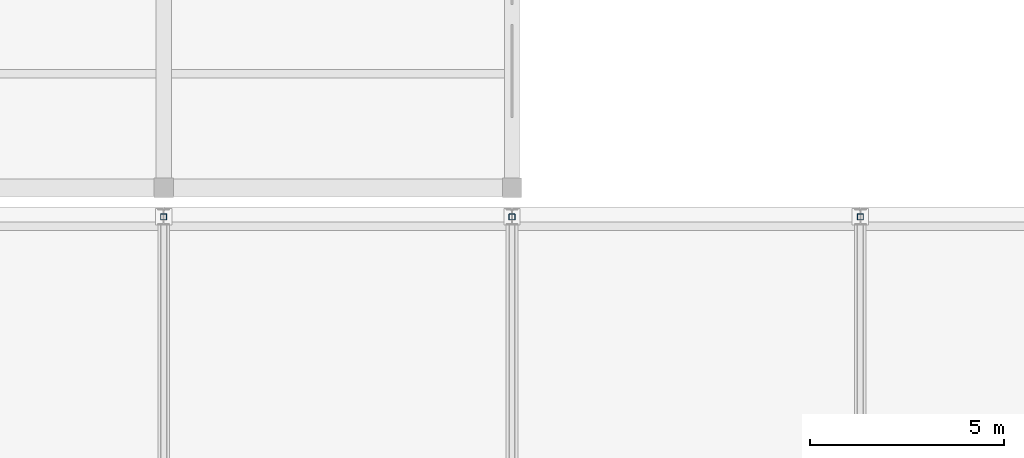
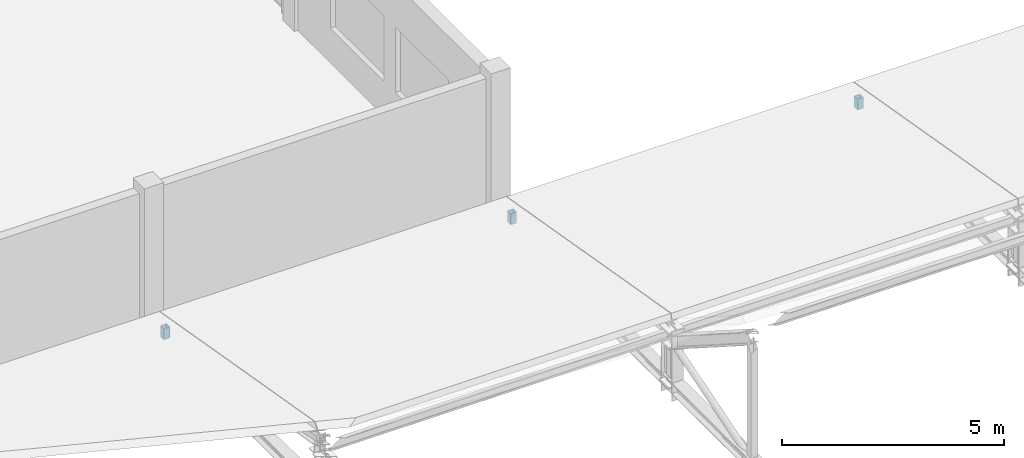
# One storey, part 142 of 182: 3 members.
"""IFC4 building model written with IfcOpenShell, lengths in metres."""

from ifc_helpers import new_model, si_unit, direction, frame, origin, origin_2d, place, context, subcontext, project, spatial, hollow_rectangle, extrude, material, material_profile, profile_set, type_object, element, save


model = new_model("IFC4")

# Units and contexts
model_context = context("Model", 3, precision=1e-05, world=origin(), true_north=direction((0.0, 1.0)))
body_context = subcontext(model_context, "Body", "Model", "MODEL_VIEW")
ifc_project = project(units=[si_unit("LENGTHUNIT", "METRE"), si_unit("AREAUNIT", "SQUARE_METRE"), si_unit("VOLUMEUNIT", "CUBIC_METRE"), si_unit("PLANEANGLEUNIT", "RADIAN"), si_unit("MASSUNIT", "GRAM", prefix="KILO")], contexts=[model_context])

# Site, building, storey
site_placement = place(None, origin())
site = spatial("IfcSite", under=ifc_project, at=site_placement, CompositionType="ELEMENT")
building_placement = place(site_placement, origin())
building = spatial("IfcBuilding", under=site, at=building_placement, Name="Chiffa Square Polytechnic", CompositionType="ELEMENT")
storey_placement = place(building_placement, frame((0.0, 0.0, 9.60009765625)))
storey = spatial("IfcBuildingStorey", under=building, at=storey_placement, Name="L02", CompositionType="ELEMENT", Elevation=9.60009765625)

# Members
ifc_material = material(Name="Steel S355", Category="steel")
ifc_material_profile = material_profile(ifc_material, hollow_rectangle(XDim=0.159912109375, YDim=0.159912109375, WallThickness=0.008056640625, InnerFilletRadius=0.008056640625, OuterFilletRadius=0.01611328125, at=origin_2d()), Name="RHS 160x160x8")
ifc_profile_set = profile_set([ifc_material_profile], Name="Steel S355")
member_type = type_object("IfcMemberType", Name="MEM-WEB-RHS160", PredefinedType="MEMBER", material=ifc_profile_set)
for number, where, z_axis, x_axis, name in (
    (1, (139.199951171875, 94.199951171875, 0.349853515625), (0.0, 0.0, 1.0), (1.0, 0.0, 0.0), "Workshop north shed end post TWV-V2-SH-04"),
    (2, (148.199951171875, 94.199951171875, 0.349853515625), (0.0, 0.0, 1.0), (1.0, 0.0, 0.0), "Workshop north shed end post TWV-V2-SH-05"),
    (3, (157.199951171875, 94.199951171875, 0.349853515625), (0.0, 0.0, 1.0), (1.0, 0.0, 0.0), "Workshop north shed end post TWV-V2-SH-06"),
):
    element("IfcMember", number, at=place(storey_placement, frame(where, z_axis=z_axis, x_axis=x_axis)), inside=storey, type_object=member_type, Name=name, PredefinedType="MEMBER", context=body_context, shape_type="SweptSolid", body=[
        extrude(hollow_rectangle(XDim=0.159912109375, YDim=0.159912109375, WallThickness=0.008056640625, InnerFilletRadius=0.008056640625, OuterFilletRadius=0.01611328125, at=origin_2d()), origin(), (0.0, 0.0, 1.0), 0.300048828125),
    ])

save(model, "model.ifc")
